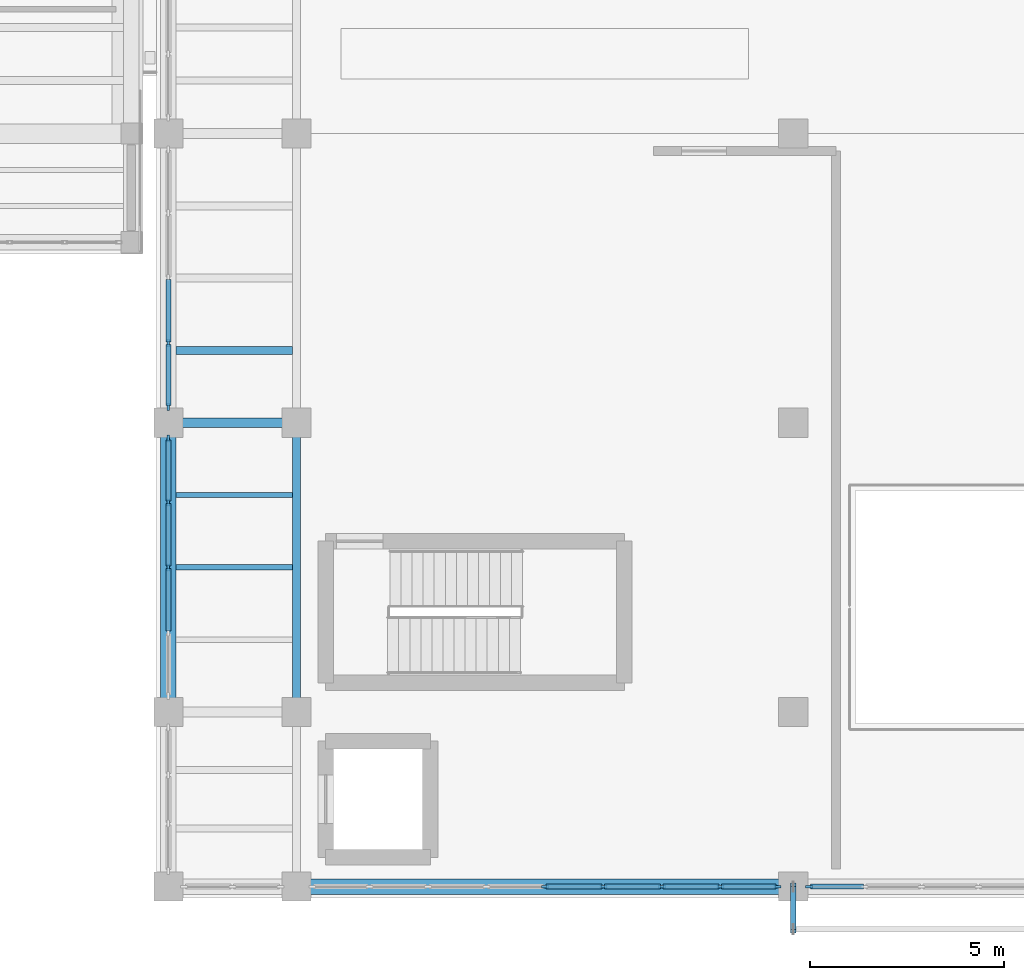
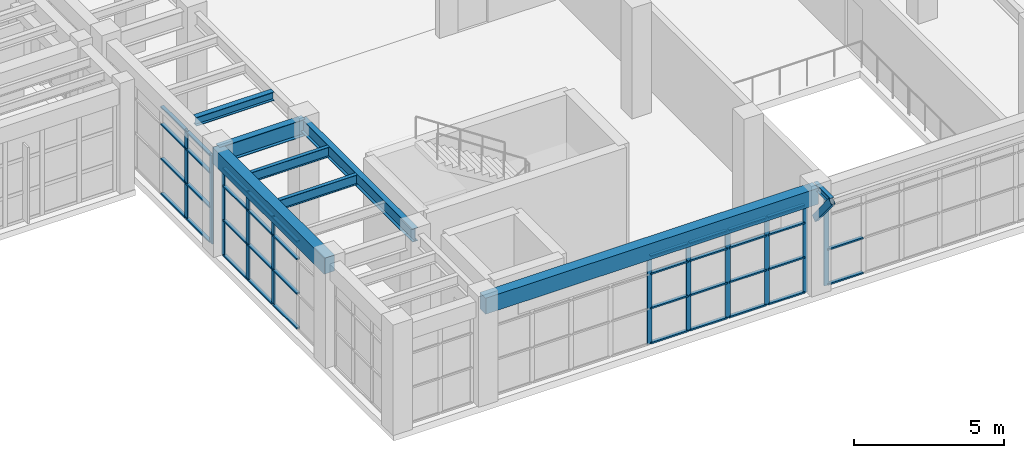
# One storey, part 34 of 85: 50 members, 8 beams, 4 elements without a shape of their own.
"""IFC4 building model written with IfcOpenShell, lengths in metres."""

import ifcopenshell
import ifcopenshell.guid

model = None  # the IFC model being written
_history = None  # IfcOwnerHistory: only IFC2X3 demands one
_inside = {}  # id of a spatial element -> (the spatial element, [elements in it])
_under = {}  # id of a project, library or spatial element -> (it, [spatial elements below it])
_declared = {}  # id of a project -> (the project, [libraries it declares])
_typed = {}  # id of a type object -> (the type object, [elements of that type])
_made_of = {}  # id of a material, layer set ... -> (it, [elements and type objects made of it])


def new_model(schema):
    """Start an empty IFC model of exactly this schema.

    Asked for "IFC4X3", IfcOpenShell would pick the latest addendum, in which some entities
    have other attributes; the version numbers below select the first issue.
    IFC2X3 requires an IfcOwnerHistory on every rooted entity: one is made here for all.
    """
    global model, _history
    if schema == "IFC4X3":
        model = ifcopenshell.file(schema_version=(4, 3, 0, 0))
    else:
        model = ifcopenshell.file(schema=schema)
    _inside.clear()
    _under.clear()
    _declared.clear()
    _typed.clear()
    _made_of.clear()
    _history = None
    if model.schema == "IFC2X3":
        org = make("IfcOrganization", Name="unknown")
        user = make(
            "IfcPersonAndOrganization",
            ThePerson=make("IfcPerson", FamilyName="unknown"),
            TheOrganization=org,
        )
        app = make(
            "IfcApplication",
            ApplicationDeveloper=org,
            Version="unknown",
            ApplicationFullName="unknown",
            ApplicationIdentifier="unknown",
        )
        _history = make(
            "IfcOwnerHistory",
            OwningUser=user,
            OwningApplication=app,
            ChangeAction="ADDED",
            CreationDate=0,
        )
    return model


def make(cls, **values):
    """One entity of the class cls with the attributes given. An attribute that is None is left unset."""
    return model.create_entity(
        cls, **{name: value for name, value in values.items() if value is not None}
    )


def rooted(cls, **values):
    """An entity with a GlobalId (a new one), such as an element, a storey or a relation."""
    return make(cls, GlobalId=ifcopenshell.guid.new(), OwnerHistory=_history, **values)


def si_unit(unit_type, name, prefix=None):
    """IfcSIUnit, for example si_unit("LENGTHUNIT", "METRE", prefix="MILLI")."""
    return make("IfcSIUnit", UnitType=unit_type, Prefix=prefix, Name=name)


def assignment(units):
    """IfcUnitAssignment: the units of a project."""
    return None if units is None else make("IfcUnitAssignment", Units=units)


def point(xyz):
    """IfcCartesianPoint."""
    return None if xyz is None else make("IfcCartesianPoint", Coordinates=xyz)


def direction(xyz):
    """IfcDirection."""
    return None if xyz is None else make("IfcDirection", DirectionRatios=xyz)


def frame(location, z_axis=None, x_axis=None):
    """IfcAxis2Placement3D, a coordinate frame: its origin and axes. An axis left out is left unset."""
    return make(
        "IfcAxis2Placement3D",
        Location=point(location),
        Axis=direction(z_axis),
        RefDirection=direction(x_axis),
    )


def frame_2d(location, x_axis=None):
    """IfcAxis2Placement2D, a coordinate frame in the plane: its origin and x axis."""
    return make(
        "IfcAxis2Placement2D", Location=point(location), RefDirection=direction(x_axis)
    )


def origin():
    """The frame at (0, 0, 0) with its axes left unset."""
    return frame((0.0, 0.0, 0.0))


def origin_2d():
    """The frame at (0, 0) in the plane with its x axis left unset."""
    return frame_2d((0.0, 0.0))


def place(relative_to, where):
    """IfcLocalPlacement: puts the frame where relative to a parent placement (None: the world)."""
    return make(
        "IfcLocalPlacement", PlacementRelTo=relative_to, RelativePlacement=where
    )


def context(
    kind, dimensions, precision=None, world=None, true_north=None, identifier=None
):
    """IfcGeometricRepresentationContext, for example the 3D "Model" context."""
    return make(
        "IfcGeometricRepresentationContext",
        ContextIdentifier=identifier,
        ContextType=kind,
        CoordinateSpaceDimension=dimensions,
        Precision=precision,
        WorldCoordinateSystem=world,
        TrueNorth=true_north,
    )


def subcontext(parent, identifier, kind, view, scale=None):
    """IfcGeometricRepresentationSubContext, for example "Body" below "Model"."""
    return make(
        "IfcGeometricRepresentationSubContext",
        ContextIdentifier=identifier,
        ContextType=kind,
        ParentContext=parent,
        TargetScale=scale,
        TargetView=view,
    )


def project(units=None, contexts=None):
    """IfcProject with its units and contexts."""
    return rooted(
        "IfcProject",
        Name="project",
        RepresentationContexts=contexts,
        UnitsInContext=assignment(units),
    )


def spatial(cls, under=None, at=None, **own):
    """A site, building, storey or space (cls), placed at a placement, below another one or the project."""
    s = rooted(cls, ObjectPlacement=at, **own)
    if under is not None:
        _under.setdefault(under.id(), (under, []))[1].append(s)
    return s


def profile(cls, at=None, kind="AREA", **sizes):
    """A parametric profile (cls). Its sizes go by their IFC names, for example OverallWidth=200.0."""
    return make(cls, ProfileType=kind, Position=at, **sizes)


def rectangle(**sizes):
    """IfcRectangleProfileDef."""
    return profile("IfcRectangleProfileDef", **sizes)


def hollow_rectangle(**sizes):
    """IfcRectangleHollowProfileDef."""
    return profile("IfcRectangleHollowProfileDef", **sizes)


def i_section(**sizes):
    """IfcIShapeProfileDef."""
    return profile("IfcIShapeProfileDef", **sizes)


def extrude(swept, where, along, depth):
    """IfcExtrudedAreaSolid: the profile swept, set in the frame where, extruded along a direction by depth."""
    return make(
        "IfcExtrudedAreaSolid",
        SweptArea=swept,
        Position=where,
        ExtrudedDirection=direction(along),
        Depth=depth,
    )


def shape(context_of_items, identifier, shape_type, items):
    """IfcShapeRepresentation: the items that make up one representation, for example the "Body"."""
    return make(
        "IfcShapeRepresentation",
        ContextOfItems=context_of_items,
        RepresentationIdentifier=identifier,
        RepresentationType=shape_type,
        Items=items,
    )


def material(Name=None, Category=None):
    """IfcMaterial."""
    return make("IfcMaterial", Name=Name, Category=Category)


def layer(
    of_material, thickness, ventilated=None, Name=None, Category=None, Priority=None
):
    """IfcMaterialLayer: one layer of a wall or slab, of a material (None: an air gap)."""
    return make(
        "IfcMaterialLayer",
        Material=of_material,
        LayerThickness=thickness,
        IsVentilated=ventilated,
        Name=Name,
        Category=Category,
        Priority=Priority,
    )


def layer_set(layers, Name=None):
    """IfcMaterialLayerSet."""
    return make("IfcMaterialLayerSet", MaterialLayers=layers, LayerSetName=Name)


def material_profile(
    of_material, cross_section, Name=None, Category=None, Priority=None
):
    """IfcMaterialProfile: a cross section and its material."""
    return make(
        "IfcMaterialProfile",
        Name=Name,
        Material=of_material,
        Profile=cross_section,
        Priority=Priority,
        Category=Category,
    )


def profile_set(profiles, Name=None, composite=None):
    """IfcMaterialProfileSet."""
    return make(
        "IfcMaterialProfileSet",
        Name=Name,
        MaterialProfiles=profiles,
        CompositeProfile=composite,
    )


def made_of(thing, what):
    """Note that an element or type object is made of a material, layer set ...; save() writes the relation."""
    if what is not None:
        _made_of.setdefault(what.id(), (what, []))[1].append(thing)
    return thing


def type_object(cls, material=None, **own):
    """A type object (cls), such as IfcWallType, which elements share."""
    return made_of(rooted(cls, **own), material)


def element(
    cls,
    number,
    at=None,
    inside=None,
    cuts=None,
    type_object=None,
    material=None,
    context=None,
    identifier="Body",
    shape_type=None,
    held_by="IfcProductDefinitionShape",
    body=None,
    shapes=None,
    **own,
):
    """One element of the class cls, such as IfcWall. Its Tag is "e" and its number.

    at: its placement. inside: the storey or other place that contains it. cuts: it is an
    opening in that element (IfcRelVoidsElement). A single representation is given by context,
    identifier, shape_type and body (its items); several are given by shapes. held_by: the class
    of the entity that holds the representations. save() writes the other relations.
    """
    e = rooted(cls, Tag="e%d" % number, ObjectPlacement=at, **own)
    if body is not None:
        shapes = [shape(context, identifier, shape_type, body)]
    if shapes is not None:
        e.Representation = make(held_by, Representations=shapes)
    if inside is not None:
        _inside.setdefault(inside.id(), (inside, []))[1].append(e)
    if cuts is not None:
        rooted(
            "IfcRelVoidsElement", RelatingBuildingElement=cuts, RelatedOpeningElement=e
        )
    if type_object is not None:
        _typed.setdefault(type_object.id(), (type_object, []))[1].append(e)
    return made_of(e, material)


def aggregate(whole, parts):
    """IfcRelAggregates: a whole, such as a stair, and the parts it consists of."""
    return rooted("IfcRelAggregates", RelatingObject=whole, RelatedObjects=parts)


def save(model, path):
    """Write the relations noted so far, then the file.

    IfcRelAggregates (storeys below a building ...), IfcRelContainedInSpatialStructure (elements
    in a storey), IfcRelDefinesByType, IfcRelAssociatesMaterial and IfcRelDeclares: one each for
    every whole, place, type object, material and project.
    """
    for whole, parts in _under.values():
        aggregate(whole, parts)
    for where, things in _inside.values():
        rooted(
            "IfcRelContainedInSpatialStructure",
            RelatedElements=things,
            RelatingStructure=where,
        )
    for kind, things in _typed.values():
        rooted("IfcRelDefinesByType", RelatedObjects=things, RelatingType=kind)
    for what, things in _made_of.values():
        rooted("IfcRelAssociatesMaterial", RelatedObjects=things, RelatingMaterial=what)
    for by, libraries in _declared.values():
        rooted("IfcRelDeclares", RelatingContext=by, RelatedDefinitions=libraries)
    model.write(path)


model = new_model("IFC4")

# Units and contexts
model_context = context("Model", 3, precision=1e-05, world=origin(), true_north=direction((0.0, 1.0)))
body_context = subcontext(model_context, "Body", "Model", "MODEL_VIEW")
ifc_project = project(units=[si_unit("LENGTHUNIT", "METRE"), si_unit("AREAUNIT", "SQUARE_METRE"), si_unit("VOLUMEUNIT", "CUBIC_METRE"), si_unit("PLANEANGLEUNIT", "RADIAN"), si_unit("MASSUNIT", "GRAM", prefix="KILO")], contexts=[model_context])

# Site, building, storey
site_placement = place(None, origin())
site = spatial("IfcSite", under=ifc_project, at=site_placement, CompositionType="ELEMENT")
building_placement = place(site_placement, origin())
building = spatial("IfcBuilding", under=site, at=building_placement, Name="Candilejo Ridge Gondola Terminal", CompositionType="ELEMENT")
storey_placement = place(building_placement, frame((0.0, 0.0, 4.5)))
storey = spatial("IfcBuildingStorey", under=building, at=storey_placement, Name="L01", CompositionType="ELEMENT", Elevation=4.5)

# Curtain wall, members
ifc_material_1 = material(Name="Anodised aluminium AA 6063-T6", Category="aluminium")
ifc_layer_1 = layer(ifc_material_1, 0.169921875)
ifc_layer_set_1 = layer_set([ifc_layer_1], Name="ARC-CW-HALL-3800-670X359")
curtain_wall_type_1 = type_object("IfcCurtainWallType", Name="ARC-CW-HALL-3800-670X359", PredefinedType="NOTDEFINED", material=ifc_layer_set_1)
curtain_wall_1_placement = place(storey_placement, origin())
curtain_wall_1 = element("IfcCurtainWall", 1, at=curtain_wall_1_placement, inside=storey, type_object=curtain_wall_type_1, Name="Curtain wall V4 L01-112", PredefinedType="NOTDEFINED")
ifc_material_2 = material(Name="Anodised aluminium AA 6063-T6", Category="aluminium")
ifc_material_profile_1 = material_profile(ifc_material_2, rectangle(XDim=0.06494140625, YDim=0.179931640625, at=origin_2d()))
ifc_profile_set_1 = profile_set([ifc_material_profile_1], Name="Anodised aluminium AA 6063-T6")
member_type_1 = type_object("IfcMemberType", Name="ARC-CW-MULLION-180", PredefinedType="MULLION", material=ifc_profile_set_1)
member_1_placement = place(storey_placement, frame((133.89990234375, 14.52490234375, 0.0), z_axis=(0.0, 0.0, 1.0), x_axis=(-1.0, 0.0, 0.0)))
member_1 = element("IfcMember", 2, at=member_1_placement, type_object=member_type_1, Name="CW-67X35 mullion 3", PredefinedType="MULLION", context=body_context, shape_type="SweptSolid", body=[
    extrude(rectangle(XDim=0.06494140625, YDim=0.179931640625, at=origin_2d()), origin(), (0.0, 0.0, 1.0), 3.590087890625),
])
member_2_placement = place(storey_placement, frame((133.89990234375, 16.199951171875, 0.0), z_axis=(0.0, 0.0, 1.0), x_axis=(-1.0, 0.0, 0.0)))
member_2 = element("IfcMember", 3, at=member_2_placement, type_object=member_type_1, Name="CW-67X35 mullion 4", PredefinedType="MULLION", context=body_context, shape_type="SweptSolid", body=[
    extrude(rectangle(XDim=0.06494140625, YDim=0.179931640625, at=origin_2d()), origin(), (0.0, 0.0, 1.0), 3.590087890625),
])
member_3_placement = place(storey_placement, frame((133.89990234375, 17.842529296875, 0.0), z_axis=(0.0, 0.0, 1.0), x_axis=(-1.0, 0.0, 0.0)))
member_3 = element("IfcMember", 4, at=member_3_placement, type_object=member_type_1, Name="CW-67X35 mullion 5", PredefinedType="MULLION", context=body_context, shape_type="SweptSolid", body=[
    extrude(rectangle(XDim=0.06494140625, YDim=0.179931640625, at=origin_2d()), origin(), (0.0, 0.0, 1.0), 3.590087890625),
])

curtain_wall_2_placement = place(storey_placement, origin())
curtain_wall_2 = element("IfcCurtainWall", 5, at=curtain_wall_2_placement, inside=storey, type_object=curtain_wall_type_1, Name="Curtain wall V4 L01-113", PredefinedType="NOTDEFINED")
member_4_placement = place(storey_placement, frame((133.89990234375, 18.657470703125, 0.0), z_axis=(0.0, 0.0, 1.0), x_axis=(-1.0, 0.0, 0.0)))
member_4 = element("IfcMember", 6, at=member_4_placement, type_object=member_type_1, Name="CW-67X35 mullion 1", PredefinedType="MULLION", context=body_context, shape_type="SweptSolid", body=[
    extrude(rectangle(XDim=0.06494140625, YDim=0.179931640625, at=origin_2d()), origin(), (0.0, 0.0, 1.0), 3.590087890625),
])
member_5_placement = place(storey_placement, frame((133.89990234375, 20.300048828125, 0.0), z_axis=(0.0, 0.0, 1.0), x_axis=(-1.0, 0.0, 0.0)))
member_5 = element("IfcMember", 7, at=member_5_placement, type_object=member_type_1, Name="CW-67X35 mullion 2", PredefinedType="MULLION", context=body_context, shape_type="SweptSolid", body=[
    extrude(rectangle(XDim=0.06494140625, YDim=0.179931640625, at=origin_2d()), origin(), (0.0, 0.0, 1.0), 3.590087890625),
])

ifc_material_3 = material(Name="Anodised aluminium AA 6063-T6", Category="aluminium")
ifc_layer_2 = layer(ifc_material_3, 0.169921875)
ifc_layer_set_2 = layer_set([ifc_layer_2], Name="ARC-CW-HALL-3800-1205X359")
curtain_wall_type_2 = type_object("IfcCurtainWallType", Name="ARC-CW-HALL-3800-1205X359", PredefinedType="NOTDEFINED", material=ifc_layer_set_2)
curtain_wall_3_placement = place(storey_placement, origin())
curtain_wall_3 = element("IfcCurtainWall", 8, at=curtain_wall_3_placement, inside=storey, type_object=curtain_wall_type_2, Name="Curtain wall V4 L01-124", PredefinedType="NOTDEFINED")
member_6_placement = place(storey_placement, frame((143.60009765625, 6.300048828125, 0.0), z_axis=(0.0, 0.0, 1.0), x_axis=(0.0, 1.0, 0.0)))
member_6 = element("IfcMember", 9, at=member_6_placement, type_object=member_type_1, Name="CW-120X35 mullion 5", PredefinedType="MULLION", context=body_context, shape_type="SweptSolid", body=[
    extrude(rectangle(XDim=0.06494140625, YDim=0.179931640625, at=origin_2d()), origin(), (0.0, 0.0, 1.0), 3.590087890625),
])
member_7_placement = place(storey_placement, frame((145.106201171875, 6.300048828125, 0.0), z_axis=(0.0, 0.0, 1.0), x_axis=(0.0, 1.0, 0.0)))
member_7 = element("IfcMember", 10, at=member_7_placement, type_object=member_type_1, Name="CW-120X35 mullion 6", PredefinedType="MULLION", context=body_context, shape_type="SweptSolid", body=[
    extrude(rectangle(XDim=0.06494140625, YDim=0.179931640625, at=origin_2d()), origin(), (0.0, 0.0, 1.0), 3.590087890625),
])
member_8_placement = place(storey_placement, frame((146.612548828125, 6.300048828125, 0.0), z_axis=(0.0, 0.0, 1.0), x_axis=(0.0, 1.0, 0.0)))
member_8 = element("IfcMember", 11, at=member_8_placement, type_object=member_type_1, Name="CW-120X35 mullion 7", PredefinedType="MULLION", context=body_context, shape_type="SweptSolid", body=[
    extrude(rectangle(XDim=0.06494140625, YDim=0.179931640625, at=origin_2d()), origin(), (0.0, 0.0, 1.0), 3.590087890625),
])
member_9_placement = place(storey_placement, frame((148.11865234375, 6.300048828125, 0.0), z_axis=(0.0, 0.0, 1.0), x_axis=(0.0, 1.0, 0.0)))
member_9 = element("IfcMember", 12, at=member_9_placement, type_object=member_type_1, Name="CW-120X35 mullion 8", PredefinedType="MULLION", context=body_context, shape_type="SweptSolid", body=[
    extrude(rectangle(XDim=0.06494140625, YDim=0.179931640625, at=origin_2d()), origin(), (0.0, 0.0, 1.0), 3.590087890625),
])
member_10_placement = place(storey_placement, frame((149.592529296875, 6.300048828125, 0.0), z_axis=(0.0, 0.0, 1.0), x_axis=(0.0, 1.0, 0.0)))
member_10 = element("IfcMember", 13, at=member_10_placement, type_object=member_type_1, Name="CW-120X35 mullion 9", PredefinedType="MULLION", context=body_context, shape_type="SweptSolid", body=[
    extrude(rectangle(XDim=0.06494140625, YDim=0.179931640625, at=origin_2d()), origin(), (0.0, 0.0, 1.0), 3.590087890625),
])

# Curtain wall, member
ifc_material_4 = material(Name="Anodised aluminium AA 6063-T6", Category="aluminium")
ifc_layer_3 = layer(ifc_material_4, 0.169921875)
ifc_layer_set_3 = layer_set([ifc_layer_3], Name="ARC-CW-HALL-3800-1025X359")
curtain_wall_type_3 = type_object("IfcCurtainWallType", Name="ARC-CW-HALL-3800-1025X359", PredefinedType="NOTDEFINED", material=ifc_layer_set_3)
curtain_wall_4_placement = place(storey_placement, origin())
curtain_wall_4 = element("IfcCurtainWall", 14, at=curtain_wall_4_placement, inside=storey, type_object=curtain_wall_type_3, Name="Curtain wall V4 L01-126", PredefinedType="NOTDEFINED")
member_11_placement = place(storey_placement, frame((150.407470703125, 6.300048828125, 0.0), z_axis=(0.0, 0.0, 1.0), x_axis=(0.0, 1.0, 0.0)))
member_11 = element("IfcMember", 15, at=member_11_placement, type_object=member_type_1, Name="CW-102X35 mullion 1", PredefinedType="MULLION", context=body_context, shape_type="SweptSolid", body=[
    extrude(rectangle(XDim=0.06494140625, YDim=0.179931640625, at=origin_2d()), origin(), (0.0, 0.0, 1.0), 3.590087890625),
])

# Member
ifc_material_5 = material(Name="Anodised aluminium AA 6063-T6", Category="aluminium")
ifc_material_profile_2 = material_profile(ifc_material_5, rectangle(XDim=0.1298828125, YDim=0.06005859375, at=origin_2d()))
ifc_profile_set_2 = profile_set([ifc_material_profile_2], Name="Anodised aluminium AA 6063-T6")
member_type_2 = type_object("IfcMemberType", Name="ARC-CW-TRANSOM-130", PredefinedType="USERDEFINED", material=ifc_profile_set_2)
member_12_placement = place(storey_placement, frame((133.89990234375, 12.882568359375, 0.030029296875), z_axis=(0.0, 1.0, 0.0), x_axis=(-1.0, 0.0, 0.0)))
member_12 = element("IfcMember", 16, at=member_12_placement, type_object=member_type_2, Name="CW-67X35 transom 2.1", ObjectType="TRANSOM", PredefinedType="USERDEFINED", context=body_context, shape_type="SweptSolid", body=[
    extrude(rectangle(XDim=0.1298828125, YDim=0.06005859375, at=origin_2d()), origin(), (0.0, 0.0, 1.0), 1.60986328125),
])

member_13_placement = place(storey_placement, frame((133.89990234375, 12.882568359375, 1.449951171875), z_axis=(0.0, 1.0, 0.0), x_axis=(-1.0, 0.0, 0.0)))
member_13 = element("IfcMember", 17, at=member_13_placement, type_object=member_type_2, Name="CW-67X35 transom 2.2", ObjectType="TRANSOM", PredefinedType="USERDEFINED", context=body_context, shape_type="SweptSolid", body=[
    extrude(rectangle(XDim=0.1298828125, YDim=0.06005859375, at=origin_2d()), origin(), (0.0, 0.0, 1.0), 1.60986328125),
])

member_14_placement = place(storey_placement, frame((133.89990234375, 12.882568359375, 2.85009765625), z_axis=(0.0, 1.0, 0.0), x_axis=(-1.0, 0.0, 0.0)))
member_14 = element("IfcMember", 18, at=member_14_placement, type_object=member_type_2, Name="CW-67X35 transom 2.3", ObjectType="TRANSOM", PredefinedType="USERDEFINED", context=body_context, shape_type="SweptSolid", body=[
    extrude(rectangle(XDim=0.1298828125, YDim=0.06005859375, at=origin_2d()), origin(), (0.0, 0.0, 1.0), 1.60986328125),
])

member_15_placement = place(storey_placement, frame((133.89990234375, 12.882568359375, 3.56005859375), z_axis=(0.0, 1.0, 0.0), x_axis=(-1.0, 0.0, 0.0)))
member_15 = element("IfcMember", 19, at=member_15_placement, type_object=member_type_2, Name="CW-67X35 transom 2.4", ObjectType="TRANSOM", PredefinedType="USERDEFINED", context=body_context, shape_type="SweptSolid", body=[
    extrude(rectangle(XDim=0.1298828125, YDim=0.06005859375, at=origin_2d()), origin(), (0.0, 0.0, 1.0), 1.60986328125),
])

member_16_placement = place(storey_placement, frame((133.89990234375, 14.5576171875, 0.030029296875), z_axis=(0.0, 1.0, 0.0), x_axis=(-1.0, 0.0, 0.0)))
member_16 = element("IfcMember", 20, at=member_16_placement, type_object=member_type_2, Name="CW-67X35 transom 3.1", ObjectType="TRANSOM", PredefinedType="USERDEFINED", context=body_context, shape_type="SweptSolid", body=[
    extrude(rectangle(XDim=0.1298828125, YDim=0.06005859375, at=origin_2d()), origin(), (0.0, 0.0, 1.0), 1.60986328125),
])

member_17_placement = place(storey_placement, frame((133.89990234375, 14.5576171875, 1.449951171875), z_axis=(0.0, 1.0, 0.0), x_axis=(-1.0, 0.0, 0.0)))
member_17 = element("IfcMember", 21, at=member_17_placement, type_object=member_type_2, Name="CW-67X35 transom 3.2", ObjectType="TRANSOM", PredefinedType="USERDEFINED", context=body_context, shape_type="SweptSolid", body=[
    extrude(rectangle(XDim=0.1298828125, YDim=0.06005859375, at=origin_2d()), origin(), (0.0, 0.0, 1.0), 1.60986328125),
])

member_18_placement = place(storey_placement, frame((133.89990234375, 14.5576171875, 2.85009765625), z_axis=(0.0, 1.0, 0.0), x_axis=(-1.0, 0.0, 0.0)))
member_18 = element("IfcMember", 22, at=member_18_placement, type_object=member_type_2, Name="CW-67X35 transom 3.3", ObjectType="TRANSOM", PredefinedType="USERDEFINED", context=body_context, shape_type="SweptSolid", body=[
    extrude(rectangle(XDim=0.1298828125, YDim=0.06005859375, at=origin_2d()), origin(), (0.0, 0.0, 1.0), 1.60986328125),
])

member_19_placement = place(storey_placement, frame((133.89990234375, 14.5576171875, 3.56005859375), z_axis=(0.0, 1.0, 0.0), x_axis=(-1.0, 0.0, 0.0)))
member_19 = element("IfcMember", 23, at=member_19_placement, type_object=member_type_2, Name="CW-67X35 transom 3.4", ObjectType="TRANSOM", PredefinedType="USERDEFINED", context=body_context, shape_type="SweptSolid", body=[
    extrude(rectangle(XDim=0.1298828125, YDim=0.06005859375, at=origin_2d()), origin(), (0.0, 0.0, 1.0), 1.60986328125),
])

member_20_placement = place(storey_placement, frame((133.89990234375, 16.232421875, 0.030029296875), z_axis=(0.0, 1.0, 0.0), x_axis=(-1.0, 0.0, 0.0)))
member_20 = element("IfcMember", 24, at=member_20_placement, type_object=member_type_2, Name="CW-67X35 transom 4.1", ObjectType="TRANSOM", PredefinedType="USERDEFINED", context=body_context, shape_type="SweptSolid", body=[
    extrude(rectangle(XDim=0.1298828125, YDim=0.06005859375, at=origin_2d()), origin(), (0.0, 0.0, 1.0), 1.57763671875),
])

member_21_placement = place(storey_placement, frame((133.89990234375, 16.232421875, 1.449951171875), z_axis=(0.0, 1.0, 0.0), x_axis=(-1.0, 0.0, 0.0)))
member_21 = element("IfcMember", 25, at=member_21_placement, type_object=member_type_2, Name="CW-67X35 transom 4.2", ObjectType="TRANSOM", PredefinedType="USERDEFINED", context=body_context, shape_type="SweptSolid", body=[
    extrude(rectangle(XDim=0.1298828125, YDim=0.06005859375, at=origin_2d()), origin(), (0.0, 0.0, 1.0), 1.57763671875),
])

member_22_placement = place(storey_placement, frame((133.89990234375, 16.232421875, 2.85009765625), z_axis=(0.0, 1.0, 0.0), x_axis=(-1.0, 0.0, 0.0)))
member_22 = element("IfcMember", 26, at=member_22_placement, type_object=member_type_2, Name="CW-67X35 transom 4.3", ObjectType="TRANSOM", PredefinedType="USERDEFINED", context=body_context, shape_type="SweptSolid", body=[
    extrude(rectangle(XDim=0.1298828125, YDim=0.06005859375, at=origin_2d()), origin(), (0.0, 0.0, 1.0), 1.57763671875),
])

member_23_placement = place(storey_placement, frame((133.89990234375, 16.232421875, 3.56005859375), z_axis=(0.0, 1.0, 0.0), x_axis=(-1.0, 0.0, 0.0)))
member_23 = element("IfcMember", 27, at=member_23_placement, type_object=member_type_2, Name="CW-67X35 transom 4.4", ObjectType="TRANSOM", PredefinedType="USERDEFINED", context=body_context, shape_type="SweptSolid", body=[
    extrude(rectangle(XDim=0.1298828125, YDim=0.06005859375, at=origin_2d()), origin(), (0.0, 0.0, 1.0), 1.57763671875),
])

aggregate(curtain_wall_1, [member_1, member_2, member_3, member_12, member_13, member_14, member_15, member_16, member_17, member_18, member_19, member_20, member_21, member_22, member_23])

member_24_placement = place(storey_placement, frame((133.89990234375, 18.68994140625, 0.030029296875), z_axis=(0.0, 1.0, 0.0), x_axis=(-1.0, 0.0, 0.0)))
member_24 = element("IfcMember", 28, at=member_24_placement, type_object=member_type_2, Name="CW-67X35 transom 1.1", ObjectType="TRANSOM", PredefinedType="USERDEFINED", context=body_context, shape_type="SweptSolid", body=[
    extrude(rectangle(XDim=0.1298828125, YDim=0.06005859375, at=origin_2d()), origin(), (0.0, 0.0, 1.0), 1.57763671875),
])

member_25_placement = place(storey_placement, frame((133.89990234375, 18.68994140625, 1.449951171875), z_axis=(0.0, 1.0, 0.0), x_axis=(-1.0, 0.0, 0.0)))
member_25 = element("IfcMember", 29, at=member_25_placement, type_object=member_type_2, Name="CW-67X35 transom 1.2", ObjectType="TRANSOM", PredefinedType="USERDEFINED", context=body_context, shape_type="SweptSolid", body=[
    extrude(rectangle(XDim=0.1298828125, YDim=0.06005859375, at=origin_2d()), origin(), (0.0, 0.0, 1.0), 1.57763671875),
])

member_26_placement = place(storey_placement, frame((133.89990234375, 18.68994140625, 2.85009765625), z_axis=(0.0, 1.0, 0.0), x_axis=(-1.0, 0.0, 0.0)))
member_26 = element("IfcMember", 30, at=member_26_placement, type_object=member_type_2, Name="CW-67X35 transom 1.3", ObjectType="TRANSOM", PredefinedType="USERDEFINED", context=body_context, shape_type="SweptSolid", body=[
    extrude(rectangle(XDim=0.1298828125, YDim=0.06005859375, at=origin_2d()), origin(), (0.0, 0.0, 1.0), 1.57763671875),
])

member_27_placement = place(storey_placement, frame((133.89990234375, 18.68994140625, 3.56005859375), z_axis=(0.0, 1.0, 0.0), x_axis=(-1.0, 0.0, 0.0)))
member_27 = element("IfcMember", 31, at=member_27_placement, type_object=member_type_2, Name="CW-67X35 transom 1.4", ObjectType="TRANSOM", PredefinedType="USERDEFINED", context=body_context, shape_type="SweptSolid", body=[
    extrude(rectangle(XDim=0.1298828125, YDim=0.06005859375, at=origin_2d()), origin(), (0.0, 0.0, 1.0), 1.57763671875),
])

member_28_placement = place(storey_placement, frame((133.89990234375, 20.33251953125, 0.030029296875), z_axis=(0.0, 1.0, 0.0), x_axis=(-1.0, 0.0, 0.0)))
member_28 = element("IfcMember", 32, at=member_28_placement, type_object=member_type_2, Name="CW-67X35 transom 2.1", ObjectType="TRANSOM", PredefinedType="USERDEFINED", context=body_context, shape_type="SweptSolid", body=[
    extrude(rectangle(XDim=0.1298828125, YDim=0.06005859375, at=origin_2d()), origin(), (0.0, 0.0, 1.0), 1.60986328125),
])

member_29_placement = place(storey_placement, frame((133.89990234375, 20.33251953125, 1.449951171875), z_axis=(0.0, 1.0, 0.0), x_axis=(-1.0, 0.0, 0.0)))
member_29 = element("IfcMember", 33, at=member_29_placement, type_object=member_type_2, Name="CW-67X35 transom 2.2", ObjectType="TRANSOM", PredefinedType="USERDEFINED", context=body_context, shape_type="SweptSolid", body=[
    extrude(rectangle(XDim=0.1298828125, YDim=0.06005859375, at=origin_2d()), origin(), (0.0, 0.0, 1.0), 1.60986328125),
])

member_30_placement = place(storey_placement, frame((133.89990234375, 20.33251953125, 2.85009765625), z_axis=(0.0, 1.0, 0.0), x_axis=(-1.0, 0.0, 0.0)))
member_30 = element("IfcMember", 34, at=member_30_placement, type_object=member_type_2, Name="CW-67X35 transom 2.3", ObjectType="TRANSOM", PredefinedType="USERDEFINED", context=body_context, shape_type="SweptSolid", body=[
    extrude(rectangle(XDim=0.1298828125, YDim=0.06005859375, at=origin_2d()), origin(), (0.0, 0.0, 1.0), 1.60986328125),
])

member_31_placement = place(storey_placement, frame((133.89990234375, 20.33251953125, 3.56005859375), z_axis=(0.0, 1.0, 0.0), x_axis=(-1.0, 0.0, 0.0)))
member_31 = element("IfcMember", 35, at=member_31_placement, type_object=member_type_2, Name="CW-67X35 transom 2.4", ObjectType="TRANSOM", PredefinedType="USERDEFINED", context=body_context, shape_type="SweptSolid", body=[
    extrude(rectangle(XDim=0.1298828125, YDim=0.06005859375, at=origin_2d()), origin(), (0.0, 0.0, 1.0), 1.60986328125),
])

aggregate(curtain_wall_2, [member_4, member_5, member_24, member_25, member_26, member_27, member_28, member_29, member_30, member_31])

member_32_placement = place(storey_placement, frame((143.632568359375, 6.300048828125, 0.030029296875), z_axis=(1.0, 0.0, 0.0), x_axis=(0.0, 1.0, 0.0)))
member_32 = element("IfcMember", 36, at=member_32_placement, type_object=member_type_2, Name="CW-120X35 transom 5.1", ObjectType="TRANSOM", PredefinedType="USERDEFINED", context=body_context, shape_type="SweptSolid", body=[
    extrude(rectangle(XDim=0.1298828125, YDim=0.06005859375, at=origin_2d()), origin(), (0.0, 0.0, 1.0), 1.441162109375),
])

member_33_placement = place(storey_placement, frame((143.632568359375, 6.300048828125, 1.449951171875), z_axis=(1.0, 0.0, 0.0), x_axis=(0.0, 1.0, 0.0)))
member_33 = element("IfcMember", 37, at=member_33_placement, type_object=member_type_2, Name="CW-120X35 transom 5.2", ObjectType="TRANSOM", PredefinedType="USERDEFINED", context=body_context, shape_type="SweptSolid", body=[
    extrude(rectangle(XDim=0.1298828125, YDim=0.06005859375, at=origin_2d()), origin(), (0.0, 0.0, 1.0), 1.441162109375),
])

member_34_placement = place(storey_placement, frame((143.632568359375, 6.300048828125, 2.85009765625), z_axis=(1.0, 0.0, 0.0), x_axis=(0.0, 1.0, 0.0)))
member_34 = element("IfcMember", 38, at=member_34_placement, type_object=member_type_2, Name="CW-120X35 transom 5.3", ObjectType="TRANSOM", PredefinedType="USERDEFINED", context=body_context, shape_type="SweptSolid", body=[
    extrude(rectangle(XDim=0.1298828125, YDim=0.06005859375, at=origin_2d()), origin(), (0.0, 0.0, 1.0), 1.441162109375),
])

member_35_placement = place(storey_placement, frame((143.632568359375, 6.300048828125, 3.56005859375), z_axis=(1.0, 0.0, 0.0), x_axis=(0.0, 1.0, 0.0)))
member_35 = element("IfcMember", 39, at=member_35_placement, type_object=member_type_2, Name="CW-120X35 transom 5.4", ObjectType="TRANSOM", PredefinedType="USERDEFINED", context=body_context, shape_type="SweptSolid", body=[
    extrude(rectangle(XDim=0.1298828125, YDim=0.06005859375, at=origin_2d()), origin(), (0.0, 0.0, 1.0), 1.441162109375),
])

member_36_placement = place(storey_placement, frame((145.138671875, 6.300048828125, 0.030029296875), z_axis=(1.0, 0.0, 0.0), x_axis=(0.0, 1.0, 0.0)))
member_36 = element("IfcMember", 40, at=member_36_placement, type_object=member_type_2, Name="CW-120X35 transom 6.1", ObjectType="TRANSOM", PredefinedType="USERDEFINED", context=body_context, shape_type="SweptSolid", body=[
    extrude(rectangle(XDim=0.1298828125, YDim=0.06005859375, at=origin_2d()), origin(), (0.0, 0.0, 1.0), 1.44140625),
])

member_37_placement = place(storey_placement, frame((145.138671875, 6.300048828125, 1.449951171875), z_axis=(1.0, 0.0, 0.0), x_axis=(0.0, 1.0, 0.0)))
member_37 = element("IfcMember", 41, at=member_37_placement, type_object=member_type_2, Name="CW-120X35 transom 6.2", ObjectType="TRANSOM", PredefinedType="USERDEFINED", context=body_context, shape_type="SweptSolid", body=[
    extrude(rectangle(XDim=0.1298828125, YDim=0.06005859375, at=origin_2d()), origin(), (0.0, 0.0, 1.0), 1.44140625),
])

member_38_placement = place(storey_placement, frame((145.138671875, 6.300048828125, 2.85009765625), z_axis=(1.0, 0.0, 0.0), x_axis=(0.0, 1.0, 0.0)))
member_38 = element("IfcMember", 42, at=member_38_placement, type_object=member_type_2, Name="CW-120X35 transom 6.3", ObjectType="TRANSOM", PredefinedType="USERDEFINED", context=body_context, shape_type="SweptSolid", body=[
    extrude(rectangle(XDim=0.1298828125, YDim=0.06005859375, at=origin_2d()), origin(), (0.0, 0.0, 1.0), 1.44140625),
])

member_39_placement = place(storey_placement, frame((145.138671875, 6.300048828125, 3.56005859375), z_axis=(1.0, 0.0, 0.0), x_axis=(0.0, 1.0, 0.0)))
member_39 = element("IfcMember", 43, at=member_39_placement, type_object=member_type_2, Name="CW-120X35 transom 6.4", ObjectType="TRANSOM", PredefinedType="USERDEFINED", context=body_context, shape_type="SweptSolid", body=[
    extrude(rectangle(XDim=0.1298828125, YDim=0.06005859375, at=origin_2d()), origin(), (0.0, 0.0, 1.0), 1.44140625),
])

member_40_placement = place(storey_placement, frame((146.64501953125, 6.300048828125, 0.030029296875), z_axis=(1.0, 0.0, 0.0), x_axis=(0.0, 1.0, 0.0)))
member_40 = element("IfcMember", 44, at=member_40_placement, type_object=member_type_2, Name="CW-120X35 transom 7.1", ObjectType="TRANSOM", PredefinedType="USERDEFINED", context=body_context, shape_type="SweptSolid", body=[
    extrude(rectangle(XDim=0.1298828125, YDim=0.06005859375, at=origin_2d()), origin(), (0.0, 0.0, 1.0), 1.441162109375),
])

member_41_placement = place(storey_placement, frame((146.64501953125, 6.300048828125, 1.449951171875), z_axis=(1.0, 0.0, 0.0), x_axis=(0.0, 1.0, 0.0)))
member_41 = element("IfcMember", 45, at=member_41_placement, type_object=member_type_2, Name="CW-120X35 transom 7.2", ObjectType="TRANSOM", PredefinedType="USERDEFINED", context=body_context, shape_type="SweptSolid", body=[
    extrude(rectangle(XDim=0.1298828125, YDim=0.06005859375, at=origin_2d()), origin(), (0.0, 0.0, 1.0), 1.441162109375),
])

member_42_placement = place(storey_placement, frame((146.64501953125, 6.300048828125, 2.85009765625), z_axis=(1.0, 0.0, 0.0), x_axis=(0.0, 1.0, 0.0)))
member_42 = element("IfcMember", 46, at=member_42_placement, type_object=member_type_2, Name="CW-120X35 transom 7.3", ObjectType="TRANSOM", PredefinedType="USERDEFINED", context=body_context, shape_type="SweptSolid", body=[
    extrude(rectangle(XDim=0.1298828125, YDim=0.06005859375, at=origin_2d()), origin(), (0.0, 0.0, 1.0), 1.441162109375),
])

member_43_placement = place(storey_placement, frame((146.64501953125, 6.300048828125, 3.56005859375), z_axis=(1.0, 0.0, 0.0), x_axis=(0.0, 1.0, 0.0)))
member_43 = element("IfcMember", 47, at=member_43_placement, type_object=member_type_2, Name="CW-120X35 transom 7.4", ObjectType="TRANSOM", PredefinedType="USERDEFINED", context=body_context, shape_type="SweptSolid", body=[
    extrude(rectangle(XDim=0.1298828125, YDim=0.06005859375, at=origin_2d()), origin(), (0.0, 0.0, 1.0), 1.441162109375),
])

member_44_placement = place(storey_placement, frame((148.1513671875, 6.300048828125, 0.030029296875), z_axis=(1.0, 0.0, 0.0), x_axis=(0.0, 1.0, 0.0)))
member_44 = element("IfcMember", 48, at=member_44_placement, type_object=member_type_2, Name="CW-120X35 transom 8.1", ObjectType="TRANSOM", PredefinedType="USERDEFINED", context=body_context, shape_type="SweptSolid", body=[
    extrude(rectangle(XDim=0.1298828125, YDim=0.06005859375, at=origin_2d()), origin(), (0.0, 0.0, 1.0), 1.40869140625),
])

member_45_placement = place(storey_placement, frame((148.1513671875, 6.300048828125, 1.449951171875), z_axis=(1.0, 0.0, 0.0), x_axis=(0.0, 1.0, 0.0)))
member_45 = element("IfcMember", 49, at=member_45_placement, type_object=member_type_2, Name="CW-120X35 transom 8.2", ObjectType="TRANSOM", PredefinedType="USERDEFINED", context=body_context, shape_type="SweptSolid", body=[
    extrude(rectangle(XDim=0.1298828125, YDim=0.06005859375, at=origin_2d()), origin(), (0.0, 0.0, 1.0), 1.40869140625),
])

member_46_placement = place(storey_placement, frame((148.1513671875, 6.300048828125, 2.85009765625), z_axis=(1.0, 0.0, 0.0), x_axis=(0.0, 1.0, 0.0)))
member_46 = element("IfcMember", 50, at=member_46_placement, type_object=member_type_2, Name="CW-120X35 transom 8.3", ObjectType="TRANSOM", PredefinedType="USERDEFINED", context=body_context, shape_type="SweptSolid", body=[
    extrude(rectangle(XDim=0.1298828125, YDim=0.06005859375, at=origin_2d()), origin(), (0.0, 0.0, 1.0), 1.40869140625),
])

member_47_placement = place(storey_placement, frame((148.1513671875, 6.300048828125, 3.56005859375), z_axis=(1.0, 0.0, 0.0), x_axis=(0.0, 1.0, 0.0)))
member_47 = element("IfcMember", 51, at=member_47_placement, type_object=member_type_2, Name="CW-120X35 transom 8.4", ObjectType="TRANSOM", PredefinedType="USERDEFINED", context=body_context, shape_type="SweptSolid", body=[
    extrude(rectangle(XDim=0.1298828125, YDim=0.06005859375, at=origin_2d()), origin(), (0.0, 0.0, 1.0), 1.40869140625),
])

aggregate(curtain_wall_3, [member_6, member_7, member_8, member_9, member_10, member_32, member_33, member_34, member_35, member_36, member_37, member_38, member_39, member_40, member_41, member_42, member_43, member_44, member_45, member_46, member_47])

member_48_placement = place(storey_placement, frame((150.43994140625, 6.300048828125, 0.030029296875), z_axis=(1.0, 0.0, 0.0), x_axis=(0.0, 1.0, 0.0)))
member_48 = element("IfcMember", 52, at=member_48_placement, type_object=member_type_2, Name="CW-102X35 transom 1.1", ObjectType="TRANSOM", PredefinedType="USERDEFINED", context=body_context, shape_type="SweptSolid", body=[
    extrude(rectangle(XDim=0.1298828125, YDim=0.06005859375, at=origin_2d()), origin(), (0.0, 0.0, 1.0), 1.366943359375),
])

member_49_placement = place(storey_placement, frame((150.43994140625, 6.300048828125, 1.449951171875), z_axis=(1.0, 0.0, 0.0), x_axis=(0.0, 1.0, 0.0)))
member_49 = element("IfcMember", 53, at=member_49_placement, type_object=member_type_2, Name="CW-102X35 transom 1.2", ObjectType="TRANSOM", PredefinedType="USERDEFINED", context=body_context, shape_type="SweptSolid", body=[
    extrude(rectangle(XDim=0.1298828125, YDim=0.06005859375, at=origin_2d()), origin(), (0.0, 0.0, 1.0), 1.366943359375),
])

aggregate(curtain_wall_4, [member_11, member_48, member_49])

# Beams
ifc_material_6 = material(Name="Steel ASTM A992 Grade 50", Category="steel")
ifc_material_profile_3 = material_profile(ifc_material_6, i_section(OverallWidth=0.2109375, OverallDepth=0.5390625, WebThickness=0.01171875, FlangeThickness=0.018798828125, at=origin_2d()))
ifc_profile_set_3 = profile_set([ifc_material_profile_3], Name="Steel ASTM A992 Grade 50")
beam_type_1 = type_object("IfcBeamType", Name="STR-BM-W530X109", PredefinedType="BEAM", material=ifc_profile_set_3)
beam_1_placement = place(storey_placement, frame((137.199951171875, 10.800048828125, 3.930419921875), z_axis=(0.0, 1.0, 0.0), x_axis=(-1.0, 0.0, 0.0)))
element("IfcBeam", 54, at=beam_1_placement, inside=storey, type_object=beam_type_1, Name="Beam Y V4 L01 Y02-Y03@X22", PredefinedType="BEAM", context=body_context, shape_type="SweptSolid", body=[
    extrude(i_section(OverallWidth=0.2109375, OverallDepth=0.5390625, WebThickness=0.01171875, FlangeThickness=0.018798828125, at=origin_2d()), origin(), (0.0, 0.0, 1.0), 7.449951171875),
])
ifc_material_7 = material(Name="Steel ASTM A992 Grade 50", Category="steel")
ifc_material_profile_4 = material_profile(ifc_material_7, i_section(OverallWidth=0.25390625, OverallDepth=0.68408203125, WebThickness=0.012451171875, FlangeThickness=0.018798828125, at=origin_2d()))
ifc_profile_set_4 = profile_set([ifc_material_profile_4], Name="Steel ASTM A992 Grade 50")
beam_type_2 = type_object("IfcBeamType", Name="STR-BM-W690X140", PredefinedType="BEAM", material=ifc_profile_set_4)
beam_2_placement = place(storey_placement, frame((133.89990234375, 18.25, 3.85791015625), z_axis=(1.0, 0.0, 0.0), x_axis=(0.0, 1.0, 0.0)))
element("IfcBeam", 55, at=beam_2_placement, inside=storey, type_object=beam_type_2, Name="Beam X V4 L01 X21-X22@Y03", PredefinedType="BEAM", context=body_context, shape_type="SweptSolid", body=[
    extrude(i_section(OverallWidth=0.25390625, OverallDepth=0.68408203125, WebThickness=0.012451171875, FlangeThickness=0.018798828125, at=origin_2d()), origin(), (0.0, 0.0, 1.0), 3.300048828125),
])
ifc_material_8 = material(Name="Steel ASTM A992 Grade 50", Category="steel")
ifc_material_profile_5 = material_profile(ifc_material_8, i_section(OverallWidth=0.14599609375, OverallDepth=0.258056640625, WebThickness=0.006103515625, FlangeThickness=0.009033203125, at=origin_2d()))
ifc_profile_set_5 = profile_set([ifc_material_profile_5], Name="Steel ASTM A992 Grade 50")
beam_type_3 = type_object("IfcBeamType", Name="STR-JST-W250X33", PredefinedType="JOIST", material=ifc_profile_set_5)
beam_3_placement = place(storey_placement, frame((150.0, 5.199951171875, 4.220947265625), z_axis=(0.0, 1.0, 0.0), x_axis=(-1.0, 0.0, 0.0)))
element("IfcBeam", 56, at=beam_3_placement, inside=storey, type_object=beam_type_3, Name="Canopy bracket arm CN-V4-PORTAL-1", PredefinedType="JOIST", context=body_context, shape_type="SweptSolid", body=[
    extrude(i_section(OverallWidth=0.14599609375, OverallDepth=0.258056640625, WebThickness=0.006103515625, FlangeThickness=0.009033203125, at=origin_2d()), origin(), (0.0, 0.0, 1.0), 1.10009765625),
])
ifc_material_9 = material(Name="Steel ASTM A992 Grade 50", Category="steel")
ifc_material_profile_6 = material_profile(ifc_material_9, i_section(OverallWidth=0.205078125, OverallDepth=0.35400390625, WebThickness=0.009521484375, FlangeThickness=0.016845703125, at=origin_2d()))
ifc_profile_set_6 = profile_set([ifc_material_profile_6], Name="Steel ASTM A992 Grade 50")
beam_type_4 = type_object("IfcBeamType", Name="STR-JST-W360X79", PredefinedType="JOIST", material=ifc_profile_set_6)
beam_4_placement = place(storey_placement, frame((134.10009765625, 20.112548828125, 4.02294921875), z_axis=(1.0, 0.0, 0.0), x_axis=(0.0, 1.0, 0.0)))
element("IfcBeam", 57, at=beam_4_placement, inside=storey, type_object=beam_type_4, Name="Composite joist V4 L01-0892", PredefinedType="JOIST", context=body_context, shape_type="SweptSolid", body=[
    extrude(i_section(OverallWidth=0.205078125, OverallDepth=0.35400390625, WebThickness=0.009521484375, FlangeThickness=0.016845703125, at=origin_2d()), origin(), (0.0, 0.0, 1.0), 2.994384765625),
])
ifc_material_10 = material(Name="Steel ASTM A992 Grade 50", Category="steel")
ifc_material_profile_7 = material_profile(ifc_material_10, i_section(OverallWidth=0.139892578125, OverallDepth=0.403076171875, WebThickness=0.007080078125, FlangeThickness=0.01123046875, at=origin_2d()))
ifc_profile_set_7 = profile_set([ifc_material_profile_7], Name="Steel ASTM A992 Grade 50")
beam_type_5 = type_object("IfcBeamType", Name="STR-JST-W410X46", PredefinedType="JOIST", material=ifc_profile_set_7)
for number, where, z_axis, x_axis, name in (
    (58, (134.10009765625, 14.52490234375, 3.99853515625), (1.0, 0.0, 0.0), (0.0, 1.0, 0.0), "Composite joist V4 L01-0890"),
    (59, (134.10009765625, 16.387451171875, 3.99853515625), (1.0, 0.0, 0.0), (0.0, 1.0, 0.0), "Composite joist V4 L01-0891"),
):
    element("IfcBeam", number, at=place(storey_placement, frame(where, z_axis=z_axis, x_axis=x_axis)), inside=storey, type_object=beam_type_5, Name=name, PredefinedType="JOIST", context=body_context, shape_type="SweptSolid", body=[
        extrude(i_section(OverallWidth=0.139892578125, OverallDepth=0.403076171875, WebThickness=0.007080078125, FlangeThickness=0.01123046875, at=origin_2d()), origin(), (0.0, 0.0, 1.0), 2.994384765625),
    ])
ifc_material_11 = material(Name="Concrete f'c 35 MPa (C35/45)", Category="concrete")
ifc_material_profile_8 = material_profile(ifc_material_11, rectangle(XDim=0.39990234375, YDim=0.64990234375, at=origin_2d()))
ifc_profile_set_8 = profile_set([ifc_material_profile_8], Name="Concrete f'c 35 MPa (C35/45)")
beam_type_6 = type_object("IfcBeamType", Name="STR-SPN-RC400X650", PredefinedType="SPANDREL", material=ifc_profile_set_8)
beam_5_placement = place(storey_placement, frame((137.199951171875, 6.300048828125, 3.875), z_axis=(1.0, 0.0, 0.0), x_axis=(0.0, 1.0, 0.0)))
element("IfcBeam", 60, at=beam_5_placement, inside=storey, type_object=beam_type_6, Name="Beam X V4 L01 X22-X23@Y01", PredefinedType="SPANDREL", context=body_context, shape_type="SweptSolid", body=[
    extrude(rectangle(XDim=0.39990234375, YDim=0.64990234375, at=origin_2d()), origin(), (0.0, 0.0, 1.0), 12.800048828125),
])
beam_6_placement = place(storey_placement, frame((133.89990234375, 10.800048828125, 3.875), z_axis=(0.0, 1.0, 0.0), x_axis=(-1.0, 0.0, 0.0)))
element("IfcBeam", 61, at=beam_6_placement, inside=storey, type_object=beam_type_6, Name="Beam Y V4 L01 Y02-Y03@X21", PredefinedType="SPANDREL", context=body_context, shape_type="SweptSolid", body=[
    extrude(rectangle(XDim=0.39990234375, YDim=0.64990234375, at=origin_2d()), origin(), (0.0, 0.0, 1.0), 7.449951171875),
])

# Member
ifc_material_12 = material(Name="Steel ASTM A500 Grade C", Category="steel")
ifc_material_profile_9 = material_profile(ifc_material_12, hollow_rectangle(XDim=0.14990234375, YDim=0.25, WallThickness=0.008056640625, at=origin_2d()))
ifc_profile_set_9 = profile_set([ifc_material_profile_9], Name="Steel ASTM A500 Grade C")
member_type_3 = type_object("IfcMemberType", Name="STR-STR-HSS250X150", PredefinedType="STRUT", material=ifc_profile_set_9)
member_50_placement = place(storey_placement, frame((150.0, 6.300048828125, 2.87109375), z_axis=(0.0, -0.631747845622, 0.775173954382), x_axis=(1.0, 0.0, 0.0)))
element("IfcMember", 62, at=member_50_placement, inside=storey, type_object=member_type_3, Name="Canopy raking strut CN-V4-PORTAL-1", PredefinedType="STRUT", context=body_context, shape_type="SweptSolid", body=[
    extrude(hollow_rectangle(XDim=0.14990234375, YDim=0.25, WallThickness=0.008056640625, at=origin_2d()), origin(), (0.0, 0.0, 1.0), 1.741455078125),
])

save(model, "model.ifc")
